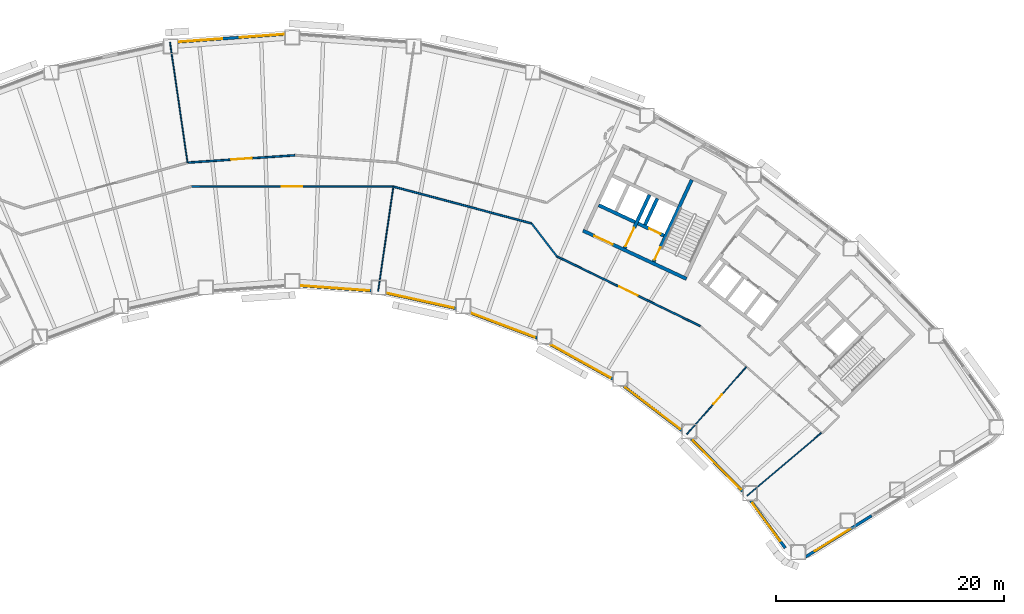
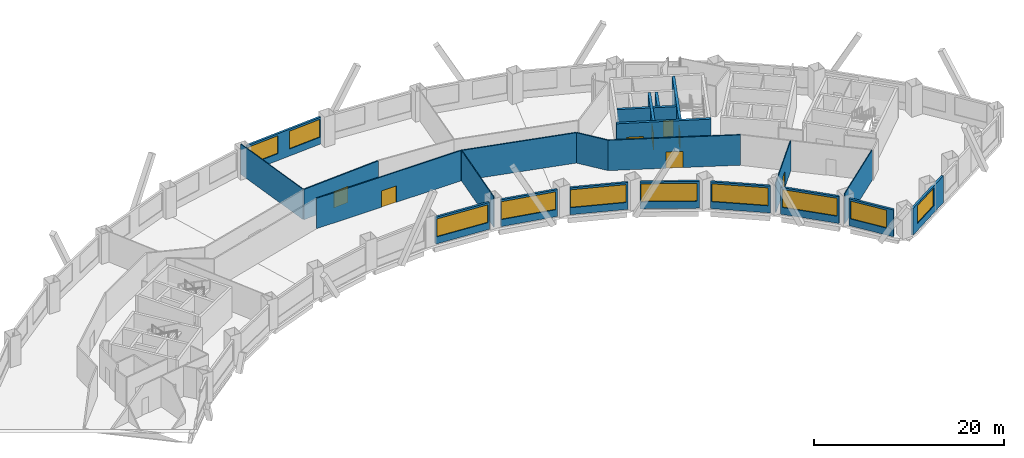
# One storey, part 5 of 11: 24 walls, 10 windows, 8 doors, 18 openings.
"""IFC4 building model written with IfcOpenShell, lengths in metres."""

from ifc_helpers import new_model, si_unit, direction, frame, frame_2d, origin, place, context, subcontext, project, spatial, rectangle, extrude, material, layer, layer_set, type_object, element, fill, save


model = new_model("IFC4")

# Units and contexts
model_context = context("Model", 3, precision=1e-05, world=origin(), true_north=direction((0.0, 1.0)))
body_context = subcontext(model_context, "Body", "Model", "MODEL_VIEW")
ifc_project = project(units=[si_unit("LENGTHUNIT", "METRE"), si_unit("AREAUNIT", "SQUARE_METRE"), si_unit("VOLUMEUNIT", "CUBIC_METRE"), si_unit("PLANEANGLEUNIT", "RADIAN"), si_unit("MASSUNIT", "GRAM", prefix="KILO")], contexts=[model_context])

# Site, building, storey
site_placement = place(None, origin())
site = spatial("IfcSite", under=ifc_project, at=site_placement, CompositionType="ELEMENT")
building_placement = place(site_placement, origin())
building = spatial("IfcBuilding", under=site, at=building_placement, Name="Tuul Gate Civic Tower", CompositionType="ELEMENT")
storey_placement = place(building_placement, frame((0.0, 0.0, 39.89990234375)))
storey = spatial("IfcBuildingStorey", under=building, at=storey_placement, Name="Level 08", CompositionType="ELEMENT", Elevation=39.89990234375)

# Wall, opening, door
ifc_material_1 = material(Name="Concrete C50/60", Category="concrete")
ifc_layer_1 = layer(ifc_material_1, 0.300048828125)
ifc_layer_set_1 = layer_set([ifc_layer_1], Name="Concrete C50/60")
wall_type_1 = type_object("IfcWallType", Name="Core wall C50/60", PredefinedType="SHEAR", material=ifc_layer_set_1)
wall_1_placement = place(storey_placement, frame((34.5283203125, -7.25, 0.0), z_axis=(0.0, 0.0, 1.0), x_axis=(-0.906310338845, 0.422612789327, 0.0)))
wall_1 = element("IfcWall", 1, at=wall_1_placement, inside=storey, type_object=wall_type_1, Name="Core wall", PredefinedType="SHEAR", context=body_context, shape_type="SweptSolid", body=[
    extrude(rectangle(XDim=9.999755859375, YDim=0.300048828125, at=frame_2d((5.0, 0.0))), origin(), (0.0, 0.0, 1.0), 3.900146484375),
])
opening_1_placement = place(wall_1_placement, frame((7.125, 0.0, 0.0)))
opening_1 = element("IfcOpeningElement", 2, at=opening_1_placement, cuts=wall_1, Name="Opening LB-E3-LOBBY-1", PredefinedType="OPENING", context=body_context, shape_type="SweptSolid", body=[
    extrude(rectangle(XDim=1.800048828125, YDim=2.10009765625, at=frame_2d((0.89990234375, 1.050048828125))), frame((0.0, 0.16015625, 0.0), z_axis=(0.0, -1.0, 0.0), x_axis=(1.0, 0.0, 0.0)), (0.0, 0.0, 1.0), 0.320068359375),
])
ifc_material_2 = material(Name="Steel", Category="steel")
door_type_1 = type_object("IfcDoorType", Name="Lobby door", OperationType="DOUBLE_DOOR_SINGLE_SWING", PredefinedType="DOOR", material=ifc_material_2)
door_1_placement = place(opening_1_placement, frame((1.800048828125, 0.0, 0.0), z_axis=(0.0, 0.0, 1.0), x_axis=(-1.0, 0.0, 0.0)))
door_1 = element("IfcDoor", 3, at=door_1_placement, inside=storey, type_object=door_type_1, Name="Lobby door E3-LOBBY", OperationType="DOUBLE_DOOR_SINGLE_SWING", OverallHeight=2.10009765625, OverallWidth=1.800048828125, PredefinedType="DOOR", context=body_context, shape_type="SweptSolid", body=[
    extrude(rectangle(XDim=1.800048828125, YDim=2.10009765625, at=frame_2d((0.900146484375, 1.050048828125))), frame((0.0, 0.02490234375, 0.0), z_axis=(0.0, -1.0, 0.0), x_axis=(1.0, 0.0, 0.0)), (0.0, 0.0, 1.0), 0.050048828125),
])
fill(opening_1, door_1)

wall_2_placement = place(storey_placement, frame((32.545654296875, -3.456787109375, 0.0), z_axis=(0.0, 0.0, 1.0), x_axis=(-0.906300357825, 0.42263419337, 0.0)))
wall_2 = element("IfcWall", 4, at=wall_2_placement, inside=storey, type_object=wall_type_1, Name="Core wall", PredefinedType="SHEAR", context=body_context, shape_type="SweptSolid", body=[
    extrude(rectangle(XDim=2.500244140625, YDim=0.300048828125, at=frame_2d((1.25, 0.0))), origin(), (0.0, 0.0, 1.0), 3.900146484375),
])
opening_2_placement = place(wall_2_placement, frame((0.324951171875, 0.0, 0.0)))
opening_2 = element("IfcOpeningElement", 5, at=opening_2_placement, cuts=wall_2, Name="Opening LD-FF-2", PredefinedType="OPENING", context=body_context, shape_type="SweptSolid", body=[
    extrude(rectangle(XDim=1.10009765625, YDim=2.10009765625, at=frame_2d((0.550048828125, 1.050048828125))), frame((0.0, 0.16015625, 0.0), z_axis=(0.0, -1.0, 0.0), x_axis=(1.0, 0.0, 0.0)), (0.0, 0.0, 1.0), 0.320068359375),
])
ifc_material_3 = material(Name="Stainless steel", Category="steel")
door_type_2 = type_object("IfcDoorType", Name="Landing door", OperationType="DOUBLE_DOOR_SLIDING", PredefinedType="DOOR", material=ifc_material_3)
door_2_placement = place(opening_2_placement, origin())
door_2 = element("IfcDoor", 6, at=door_2_placement, inside=storey, type_object=door_type_2, Name="Fire-fighting lift FF-2 landing door", OperationType="DOUBLE_DOOR_SLIDING", OverallHeight=2.10009765625, OverallWidth=1.10009765625, PredefinedType="DOOR", context=body_context, shape_type="SweptSolid", body=[
    extrude(rectangle(XDim=1.10009765625, YDim=2.10009765625, at=frame_2d((0.550048828125, 1.050048828125))), frame((0.0, 0.02490234375, 0.0), z_axis=(0.0, -1.0, 0.0), x_axis=(1.0, 0.0, 0.0)), (0.0, 0.0, 1.0), 0.050048828125),
])
fill(opening_2, door_2)

# Wall
wall_3_placement = place(storey_placement, frame((30.0078125, -2.2734375, 0.0), z_axis=(0.0, 0.0, 1.0), x_axis=(-0.90630071767, 0.422633421716, 0.0)))
element("IfcWall", 7, at=wall_3_placement, inside=storey, type_object=wall_type_1, Name="Core wall", PredefinedType="SHEAR", context=body_context, shape_type="SweptSolid", body=[
    extrude(rectangle(XDim=3.5, YDim=0.300048828125, at=frame_2d((1.75, 0.0))), origin(), (0.0, 0.0, 1.0), 3.900146484375),
])

# Wall, opening, door
wall_4_placement = place(storey_placement, frame((31.646240234375, -5.740478515625, 0.0), z_axis=(0.0, 0.0, 1.0), x_axis=(0.422582604137, 0.906324413596, 0.0)))
wall_4 = element("IfcWall", 8, at=wall_4_placement, inside=storey, type_object=wall_type_1, Name="Core wall", PredefinedType="SHEAR", context=body_context, shape_type="SweptSolid", body=[
    extrude(rectangle(XDim=7.89990234375, YDim=0.300048828125, at=frame_2d((3.949951171875, 0.0))), origin(), (0.0, 0.0, 1.0), 3.900146484375),
])
opening_3_placement = place(wall_4_placement, frame((0.199951171875, 0.0, 0.0)))
opening_3 = element("IfcOpeningElement", 9, at=opening_3_placement, cuts=wall_4, Name="Opening SD-ST-4", PredefinedType="OPENING", context=body_context, shape_type="SweptSolid", body=[
    extrude(rectangle(XDim=1.199951171875, YDim=2.10009765625, at=frame_2d((0.60009765625, 1.050048828125))), frame((0.0, 0.16015625, 0.0), z_axis=(0.0, -1.0, 0.0), x_axis=(1.0, 0.0, 0.0)), (0.0, 0.0, 1.0), 0.320068359375),
])
ifc_material_4 = material(Name="Steel", Category="steel")
door_type_3 = type_object("IfcDoorType", Name="Stair door", OperationType="NOTDEFINED", PredefinedType="DOOR", material=ifc_material_4)
door_3_placement = place(opening_3_placement, origin())
door_3 = element("IfcDoor", 10, at=door_3_placement, inside=storey, type_object=door_type_3, Name="Stair door ST-4", OperationType="SINGLE_SWING_LEFT", OverallHeight=2.10009765625, OverallWidth=1.199951171875, PredefinedType="DOOR", context=body_context, shape_type="SweptSolid", body=[
    extrude(rectangle(XDim=1.199951171875, YDim=2.10009765625, at=frame_2d((0.60009765625, 1.050048828125))), frame((0.0, 0.02490234375, 0.0), z_axis=(0.0, -1.0, 0.0), x_axis=(1.0, 0.0, 0.0)), (0.0, 0.0, 1.0), 0.050048828125),
])
fill(opening_3, door_3)

# Wall
wall_5_placement = place(storey_placement, frame((30.886962890625, -2.517822265625, 0.0), z_axis=(0.0, 0.0, 1.0), x_axis=(0.422612891016, 0.906310291427, 0.0)))
element("IfcWall", 11, at=wall_5_placement, inside=storey, type_object=wall_type_1, Name="Core wall", PredefinedType="SHEAR", context=body_context, shape_type="SweptSolid", body=[
    extrude(rectangle(XDim=2.550048828125, YDim=0.300048828125, at=frame_2d((1.27490234375, 0.0))), origin(), (0.0, 0.0, 1.0), 3.900146484375),
])

# Wall, opening, door
wall_6_placement = place(storey_placement, frame((29.108642578125, -4.557373046875, 0.0), z_axis=(0.0, 0.0, 1.0), x_axis=(0.422566235356, 0.90633204552, 0.0)))
wall_6 = element("IfcWall", 12, at=wall_6_placement, inside=storey, type_object=wall_type_1, Name="Core wall", PredefinedType="SHEAR", context=body_context, shape_type="SweptSolid", body=[
    extrude(rectangle(XDim=5.150146484375, YDim=0.300048828125, at=frame_2d((2.5751953125, 0.0))), origin(), (0.0, 0.0, 1.0), 3.900146484375),
])
opening_4_placement = place(wall_6_placement, frame((0.175048828125, 0.0, 0.0)))
opening_4 = element("IfcOpeningElement", 13, at=opening_4_placement, cuts=wall_6, Name="Opening LB-E3-FLOBBY-1", PredefinedType="OPENING", context=body_context, shape_type="SweptSolid", body=[
    extrude(rectangle(XDim=1.800048828125, YDim=2.10009765625, at=frame_2d((0.89990234375, 1.050048828125))), frame((0.0, 0.16015625, 0.0), z_axis=(0.0, -1.0, 0.0), x_axis=(1.0, 0.0, 0.0)), (0.0, 0.0, 1.0), 0.320068359375),
])
door_4_placement = place(opening_4_placement, frame((1.800048828125, 0.0, 0.0), z_axis=(0.0, 0.0, 1.0), x_axis=(-1.0, 0.0, 0.0)))
door_4 = element("IfcDoor", 14, at=door_4_placement, inside=storey, type_object=door_type_1, Name="Lobby door E3-FLOBBY", OperationType="DOUBLE_DOOR_SINGLE_SWING", OverallHeight=2.10009765625, OverallWidth=1.800048828125, PredefinedType="DOOR", context=body_context, shape_type="SweptSolid", body=[
    extrude(rectangle(XDim=1.800048828125, YDim=2.10009765625, at=frame_2d((0.900146484375, 1.050048828125))), frame((0.0, 0.02490234375, 0.0), z_axis=(0.0, -1.0, 0.0), x_axis=(1.0, 0.0, 0.0)), (0.0, 0.0, 1.0), 0.050048828125),
])
fill(opening_4, door_4)

ifc_material_5 = material(Name="Gypsum board partition")
ifc_layer_2 = layer(ifc_material_5, 0.14990234375)
ifc_layer_set_2 = layer_set([ifc_layer_2], Name="Gypsum board partition")
wall_type_2 = type_object("IfcWallType", Name="Corridor wall P150", PredefinedType="PARTITIONING", material=ifc_layer_set_2)
wall_7_placement = place(storey_placement, frame((-9.11767578125, 2.936279296875, 0.0), z_axis=(0.0, 0.0, 1.0), x_axis=(0.997685012636, 0.068004526039, 0.0)))
wall_7 = element("IfcWall", 15, at=wall_7_placement, inside=storey, type_object=wall_type_2, Name="p027", PredefinedType="PARTITIONING", context=body_context, shape_type="SweptSolid", body=[
    extrude(rectangle(XDim=9.4130859375, YDim=0.14990234375, at=frame_2d((4.70654296875, 0.0))), origin(), (0.0, 0.0, 1.0), 3.900146484375),
])
opening_5_placement = place(wall_7_placement, frame((3.806640625, 0.0, 0.0)))
opening_5 = element("IfcOpeningElement", 16, at=opening_5_placement, cuts=wall_7, Name="Opening B-D04", PredefinedType="OPENING", context=body_context, shape_type="SweptSolid", body=[
    extrude(rectangle(XDim=1.800048828125, YDim=2.10009765625, at=frame_2d((0.89990234375, 1.050048828125))), frame((0.0, 0.0849609375, 0.0), z_axis=(0.0, -1.0, 0.0), x_axis=(1.0, 0.0, 0.0)), (0.0, 0.0, 1.0), 0.169921875),
])
ifc_material_6 = material(Name="Timber door leaf, double", Category="wood")
door_type_4 = type_object("IfcDoorType", Name="Door D18", OperationType="DOUBLE_DOOR_SINGLE_SWING", PredefinedType="DOOR", material=ifc_material_6)
door_5_placement = place(opening_5_placement, origin())
door_5 = element("IfcDoor", 17, at=door_5_placement, inside=storey, type_object=door_type_4, Name="Door B-D04", OperationType="DOUBLE_DOOR_SINGLE_SWING", OverallHeight=2.10009765625, OverallWidth=1.800048828125, PredefinedType="DOOR", context=body_context, shape_type="SweptSolid", body=[
    extrude(rectangle(XDim=1.800048828125, YDim=2.10009765625, at=frame_2d((0.89990234375, 1.050048828125))), frame((0.0, 0.02490234375, 0.0), z_axis=(0.0, -1.0, 0.0), x_axis=(1.0, 0.0, 0.0)), (0.0, 0.0, 1.0), 0.050048828125),
])
fill(opening_5, door_5)

# Walls
wall_8_placement = place(storey_placement, frame((8.7958984375, 0.853271484375, 0.0), z_axis=(0.0, 0.0, 1.0), x_axis=(0.966243312112, -0.257631251596, 0.0)))
element("IfcWall", 18, at=wall_8_placement, inside=storey, type_object=wall_type_2, Name="p042", PredefinedType="PARTITIONING", context=body_context, shape_type="SweptSolid", body=[
    extrude(rectangle(XDim=12.582763671875, YDim=0.14990234375, at=frame_2d((6.29150390625, 0.0))), origin(), (0.0, 0.0, 1.0), 3.900146484375),
])
wall_9_placement = place(storey_placement, frame((20.96533203125, -2.39599609375, 0.0), z_axis=(0.0, 0.0, 1.0), x_axis=(0.608342437312, -0.793674668214, 0.0)))
element("IfcWall", 19, at=wall_9_placement, inside=storey, type_object=wall_type_2, Name="p043", PredefinedType="PARTITIONING", context=body_context, shape_type="SweptSolid", body=[
    extrude(rectangle(XDim=3.6240234375, YDim=0.14990234375, at=frame_2d((1.81201171875, 0.0))), origin(), (0.0, 0.0, 1.0), 3.900146484375),
])

# Wall, opening, door
wall_10_placement = place(storey_placement, frame((23.1708984375, -5.273193359375, 0.0), z_axis=(0.0, 0.0, 1.0), x_axis=(0.89942879208, -0.437067326596, 0.0)))
wall_10 = element("IfcWall", 20, at=wall_10_placement, inside=storey, type_object=wall_type_2, Name="p044", PredefinedType="PARTITIONING", context=body_context, shape_type="SweptSolid", body=[
    extrude(rectangle(XDim=13.956787109375, YDim=0.14990234375, at=frame_2d((6.978515625, 0.0))), origin(), (0.0, 0.0, 1.0), 3.900146484375),
])
opening_6_placement = place(wall_10_placement, frame((6.07861328125, 0.0, 0.0)))
opening_6 = element("IfcOpeningElement", 21, at=opening_6_placement, cuts=wall_10, Name="Opening B-D08", PredefinedType="OPENING", context=body_context, shape_type="SweptSolid", body=[
    extrude(rectangle(XDim=1.800048828125, YDim=2.10009765625, at=frame_2d((0.89990234375, 1.050048828125))), frame((0.0, 0.0849609375, 0.0), z_axis=(0.0, -1.0, 0.0), x_axis=(1.0, 0.0, 0.0)), (0.0, 0.0, 1.0), 0.169921875),
])
door_6_placement = place(opening_6_placement, frame((1.800048828125, 0.0, 0.0), z_axis=(0.0, 0.0, 1.0), x_axis=(-1.0, 0.0, 0.0)))
door_6 = element("IfcDoor", 22, at=door_6_placement, inside=storey, type_object=door_type_4, Name="Door B-D08", OperationType="DOUBLE_DOOR_SINGLE_SWING", OverallHeight=2.10009765625, OverallWidth=1.800048828125, PredefinedType="DOOR", context=body_context, shape_type="SweptSolid", body=[
    extrude(rectangle(XDim=1.800048828125, YDim=2.10009765625, at=frame_2d((0.900146484375, 1.050048828125))), frame((0.0, 0.02490234375, 0.0), z_axis=(0.0, -1.0, 0.0), x_axis=(1.0, 0.0, 0.0)), (0.0, 0.0, 1.0), 0.050048828125),
])
fill(opening_6, door_6)

wall_11_placement = place(storey_placement, frame((-8.813720703125, 0.85205078125, 0.0), z_axis=(0.0, 0.0, 1.0), x_axis=(0.999999993845, 0.000110950848, 0.0)))
wall_11 = element("IfcWall", 23, at=wall_11_placement, inside=storey, type_object=wall_type_2, Name="p047", PredefinedType="PARTITIONING", context=body_context, shape_type="SweptSolid", body=[
    extrude(rectangle(XDim=17.603515625, YDim=0.14990234375, at=frame_2d((8.8017578125, 0.0))), origin(), (0.0, 0.0, 1.0), 3.900146484375),
])
opening_7_placement = place(wall_11_placement, frame((7.90185546875, 0.0, 0.0)))
opening_7 = element("IfcOpeningElement", 24, at=opening_7_placement, cuts=wall_11, Name="Opening B-D09", PredefinedType="OPENING", context=body_context, shape_type="SweptSolid", body=[
    extrude(rectangle(XDim=1.800048828125, YDim=2.10009765625, at=frame_2d((0.89990234375, 1.050048828125))), frame((0.0, 0.0849609375, 0.0), z_axis=(0.0, -1.0, 0.0), x_axis=(1.0, 0.0, 0.0)), (0.0, 0.0, 1.0), 0.169921875),
])
door_7_placement = place(opening_7_placement, frame((1.800048828125, 0.0, 0.0), z_axis=(0.0, 0.0, 1.0), x_axis=(-1.0, 0.0, 0.0)))
door_7 = element("IfcDoor", 25, at=door_7_placement, inside=storey, type_object=door_type_4, Name="Door B-D09", OperationType="DOUBLE_DOOR_SINGLE_SWING", OverallHeight=2.10009765625, OverallWidth=1.800048828125, PredefinedType="DOOR", context=body_context, shape_type="SweptSolid", body=[
    extrude(rectangle(XDim=1.800048828125, YDim=2.10009765625, at=frame_2d((0.900146484375, 1.050048828125))), frame((0.0, 0.02490234375, 0.0), z_axis=(0.0, -1.0, 0.0), x_axis=(1.0, 0.0, 0.0)), (0.0, 0.0, 1.0), 0.050048828125),
])
fill(opening_7, door_7)

# Wall, openings, windows
ifc_material_7 = material(Name="Precast concrete C40/50", Category="concrete")
ifc_layer_3 = layer(ifc_material_7, 0.25)
ifc_layer_set_3 = layer_set([ifc_layer_3], Name="Precast concrete C40/50")
wall_type_3 = type_object("IfcWallType", Name="External wall", PredefinedType="STANDARD", material=ifc_layer_set_3)
wall_12_placement = place(storey_placement, frame((-0.64990234375, 14.177490234375, 0.0), z_axis=(0.0, 0.0, 1.0), x_axis=(-0.997388413682, -0.072224318983, 0.0)))
wall_12 = element("IfcWall", 26, at=wall_12_placement, inside=storey, type_object=wall_type_3, Name="External wall", PredefinedType="STANDARD", context=body_context, shape_type="SweptSolid", body=[
    extrude(rectangle(XDim=9.37353515625, YDim=0.25, at=frame_2d((4.686767578125, 0.0))), origin(), (0.0, 0.0, 1.0), 3.4501953125),
])
opening_8_placement = place(wall_12_placement, frame((0.099853515625, 0.0, 0.89990234375)))
opening_8 = element("IfcOpeningElement", 27, at=opening_8_placement, cuts=wall_12, Name="Opening W22", PredefinedType="OPENING", context=body_context, shape_type="SweptSolid", body=[
    extrude(rectangle(XDim=3.85009765625, YDim=2.300048828125, at=frame_2d((1.925048828125, 1.14990234375))), frame((0.0, 0.135009765625, 0.0), z_axis=(0.0, -1.0, 0.0), x_axis=(1.0, 0.0, 0.0)), (0.0, 0.0, 1.0), 0.27001953125),
])
opening_9_placement = place(wall_12_placement, frame((5.470703125, 0.0, 0.89990234375)))
opening_9 = element("IfcOpeningElement", 28, at=opening_9_placement, cuts=wall_12, Name="Opening W22", PredefinedType="OPENING", context=body_context, shape_type="SweptSolid", body=[
    extrude(rectangle(XDim=3.85009765625, YDim=2.300048828125, at=frame_2d((1.925048828125, 1.14990234375))), frame((0.0, 0.135009765625, 0.0), z_axis=(0.0, -1.0, 0.0), x_axis=(1.0, 0.0, 0.0)), (0.0, 0.0, 1.0), 0.27001953125),
])
ifc_material_8 = material(Name="Glass", Category="glass")
window_type_1 = type_object("IfcWindowType", Name="Window W22 3850 x 2300", PartitioningType="SINGLE_PANEL", PredefinedType="WINDOW", material=ifc_material_8)
window_1_placement = place(opening_8_placement, origin())
window_1 = element("IfcWindow", 29, at=window_1_placement, inside=storey, type_object=window_type_1, Name="Window", OverallHeight=2.300048828125, OverallWidth=3.85009765625, PartitioningType="SINGLE_PANEL", PredefinedType="WINDOW", context=body_context, shape_type="SweptSolid", body=[
    extrude(rectangle(XDim=3.85009765625, YDim=2.300048828125, at=frame_2d((1.925048828125, 1.14990234375))), frame((0.0, 0.030029296875, 0.0), z_axis=(0.0, -1.0, 0.0), x_axis=(1.0, 0.0, 0.0)), (0.0, 0.0, 1.0), 0.06005859375),
])
fill(opening_8, window_1)
window_2_placement = place(opening_9_placement, origin())
window_2 = element("IfcWindow", 30, at=window_2_placement, inside=storey, type_object=window_type_1, Name="Window", OverallHeight=2.300048828125, OverallWidth=3.85009765625, PartitioningType="SINGLE_PANEL", PredefinedType="WINDOW", context=body_context, shape_type="SweptSolid", body=[
    extrude(rectangle(XDim=3.85009765625, YDim=2.300048828125, at=frame_2d((1.925048828125, 1.14990234375))), frame((0.0, 0.030029296875, 0.0), z_axis=(0.0, -1.0, 0.0), x_axis=(1.0, 0.0, 0.0)), (0.0, 0.0, 1.0), 0.06005859375),
])
fill(opening_9, window_2)

# Wall, opening, window
wall_13_placement = place(storey_placement, frame((0.64990234375, -7.830810546875, 0.0), z_axis=(0.0, 0.0, 1.0), x_axis=(0.997395047269, -0.072132653374, 0.0)))
wall_13 = element("IfcWall", 31, at=wall_13_placement, inside=storey, type_object=wall_type_3, Name="External wall", PredefinedType="STANDARD", context=body_context, shape_type="SweptSolid", body=[
    extrude(rectangle(XDim=6.28857421875, YDim=0.25, at=frame_2d((3.144287109375, 0.0))), origin(), (0.0, 0.0, 1.0), 3.4501953125),
])
opening_10_placement = place(wall_13_placement, frame((0.12060546875, 0.0, 0.89990234375)))
opening_10 = element("IfcOpeningElement", 32, at=opening_10_placement, cuts=wall_13, Name="Opening W26", PredefinedType="OPENING", context=body_context, shape_type="SweptSolid", body=[
    extrude(rectangle(XDim=6.0, YDim=2.300048828125, at=frame_2d((3.0, 1.14990234375))), frame((0.0, 0.135009765625, 0.0), z_axis=(0.0, -1.0, 0.0), x_axis=(1.0, 0.0, 0.0)), (0.0, 0.0, 1.0), 0.27001953125),
])
ifc_material_9 = material(Name="Glass", Category="glass")
window_type_2 = type_object("IfcWindowType", Name="Window W26 6000 x 2300", PartitioningType="SINGLE_PANEL", PredefinedType="WINDOW", material=ifc_material_9)
window_3_placement = place(opening_10_placement, origin())
window_3 = element("IfcWindow", 33, at=window_3_placement, inside=storey, type_object=window_type_2, Name="Window", OverallHeight=2.300048828125, OverallWidth=6.0, PartitioningType="SINGLE_PANEL", PredefinedType="WINDOW", context=body_context, shape_type="SweptSolid", body=[
    extrude(rectangle(XDim=6.0, YDim=2.300048828125, at=frame_2d((3.0, 1.14990234375))), frame((0.0, 0.030029296875, 0.0), z_axis=(0.0, -1.0, 0.0), x_axis=(1.0, 0.0, 0.0)), (0.0, 0.0, 1.0), 0.06005859375),
])
fill(opening_10, window_3)

wall_14_placement = place(storey_placement, frame((8.221923828125, -8.481689453125, 0.0), z_axis=(0.0, 0.0, 1.0), x_axis=(0.97656633669, -0.215216611915, 0.0)))
wall_14 = element("IfcWall", 34, at=wall_14_placement, inside=storey, type_object=wall_type_3, Name="External wall", PredefinedType="STANDARD", context=body_context, shape_type="SweptSolid", body=[
    extrude(rectangle(XDim=6.2607421875, YDim=0.25, at=frame_2d((3.13037109375, 0.0))), origin(), (0.0, 0.0, 1.0), 3.4501953125),
])
opening_11_placement = place(wall_14_placement, frame((0.05859375, 0.0, 0.89990234375)))
opening_11 = element("IfcOpeningElement", 35, at=opening_11_placement, cuts=wall_14, Name="Opening W26", PredefinedType="OPENING", context=body_context, shape_type="SweptSolid", body=[
    extrude(rectangle(XDim=6.0, YDim=2.300048828125, at=frame_2d((3.0, 1.14990234375))), frame((0.0, 0.135009765625, 0.0), z_axis=(0.0, -1.0, 0.0), x_axis=(1.0, 0.0, 0.0)), (0.0, 0.0, 1.0), 0.27001953125),
])
window_4_placement = place(opening_11_placement, origin())
window_4 = element("IfcWindow", 36, at=window_4_placement, inside=storey, type_object=window_type_2, Name="Window", OverallHeight=2.300048828125, OverallWidth=6.0, PartitioningType="SINGLE_PANEL", PredefinedType="WINDOW", context=body_context, shape_type="SweptSolid", body=[
    extrude(rectangle(XDim=6.0, YDim=2.300048828125, at=frame_2d((3.0, 1.14990234375))), frame((0.0, 0.030029296875, 0.0), z_axis=(0.0, -1.0, 0.0), x_axis=(1.0, 0.0, 0.0)), (0.0, 0.0, 1.0), 0.06005859375),
])
fill(opening_11, window_4)

wall_15_placement = place(storey_placement, frame((15.635986328125, -10.23291015625, 0.0), z_axis=(0.0, 0.0, 1.0), x_axis=(0.935359836581, -0.353697577193, 0.0)))
wall_15 = element("IfcWall", 37, at=wall_15_placement, inside=storey, type_object=wall_type_3, Name="External wall", PredefinedType="STANDARD", context=body_context, shape_type="SweptSolid", body=[
    extrude(rectangle(XDim=6.201904296875, YDim=0.25, at=frame_2d((3.10107421875, 0.0))), origin(), (0.0, 0.0, 1.0), 3.4501953125),
])
opening_12_placement = place(wall_15_placement, frame((0.0458984375, 0.0, 0.89990234375)))
opening_12 = element("IfcOpeningElement", 38, at=opening_12_placement, cuts=wall_15, Name="Opening W101", PredefinedType="OPENING", context=body_context, shape_type="SweptSolid", body=[
    extrude(rectangle(XDim=5.949951171875, YDim=2.300048828125, at=frame_2d((2.97509765625, 1.14990234375))), frame((0.0, 0.135009765625, 0.0), z_axis=(0.0, -1.0, 0.0), x_axis=(1.0, 0.0, 0.0)), (0.0, 0.0, 1.0), 0.27001953125),
])
ifc_material_10 = material(Name="Glass", Category="glass")
window_type_3 = type_object("IfcWindowType", Name="Window W101 5950 x 2300", PartitioningType="SINGLE_PANEL", PredefinedType="WINDOW", material=ifc_material_10)
window_5_placement = place(opening_12_placement, origin())
window_5 = element("IfcWindow", 39, at=window_5_placement, inside=storey, type_object=window_type_3, Name="Window", OverallHeight=2.300048828125, OverallWidth=5.949951171875, PartitioningType="SINGLE_PANEL", PredefinedType="WINDOW", context=body_context, shape_type="SweptSolid", body=[
    extrude(rectangle(XDim=5.949951171875, YDim=2.300048828125, at=frame_2d((2.97509765625, 1.14990234375))), frame((0.0, 0.030029296875, 0.0), z_axis=(0.0, -1.0, 0.0), x_axis=(1.0, 0.0, 0.0)), (0.0, 0.0, 1.0), 0.06005859375),
])
fill(opening_12, window_5)

wall_16_placement = place(storey_placement, frame((22.589599609375, -12.97509765625, 0.0), z_axis=(0.0, 0.0, 1.0), x_axis=(0.874630436192, -0.484790264018, 0.0)))
wall_16 = element("IfcWall", 40, at=wall_16_placement, inside=storey, type_object=wall_type_3, Name="External wall", PredefinedType="STANDARD", context=body_context, shape_type="SweptSolid", body=[
    extrude(rectangle(XDim=6.27392578125, YDim=0.25, at=frame_2d((3.136962890625, 0.0))), origin(), (0.0, 0.0, 1.0), 3.4501953125),
])
opening_13_placement = place(wall_16_placement, frame((0.0869140625, 0.0, 0.89990234375)))
opening_13 = element("IfcOpeningElement", 41, at=opening_13_placement, cuts=wall_16, Name="Opening W101", PredefinedType="OPENING", context=body_context, shape_type="SweptSolid", body=[
    extrude(rectangle(XDim=5.949951171875, YDim=2.300048828125, at=frame_2d((2.97509765625, 1.14990234375))), frame((0.0, 0.135009765625, 0.0), z_axis=(0.0, -1.0, 0.0), x_axis=(1.0, 0.0, 0.0)), (0.0, 0.0, 1.0), 0.27001953125),
])
window_6_placement = place(opening_13_placement, origin())
window_6 = element("IfcWindow", 42, at=window_6_placement, inside=storey, type_object=window_type_3, Name="Window", OverallHeight=2.300048828125, OverallWidth=5.949951171875, PartitioningType="SINGLE_PANEL", PredefinedType="WINDOW", context=body_context, shape_type="SweptSolid", body=[
    extrude(rectangle(XDim=5.949951171875, YDim=2.300048828125, at=frame_2d((2.97509765625, 1.14990234375))), frame((0.0, 0.030029296875, 0.0), z_axis=(0.0, -1.0, 0.0), x_axis=(1.0, 0.0, 0.0)), (0.0, 0.0, 1.0), 0.06005859375),
])
fill(opening_13, window_6)

wall_17_placement = place(storey_placement, frame((29.044921875, -16.656005859375, 0.0), z_axis=(0.0, 0.0, 1.0), x_axis=(0.795571471624, -0.605859747416, 0.0)))
wall_17 = element("IfcWall", 43, at=wall_17_placement, inside=storey, type_object=wall_type_3, Name="External wall", PredefinedType="STANDARD", context=body_context, shape_type="SweptSolid", body=[
    extrude(rectangle(XDim=6.375244140625, YDim=0.25, at=frame_2d((3.1875, 0.0))), origin(), (0.0, 0.0, 1.0), 3.4501953125),
])
opening_14_placement = place(wall_17_placement, frame((0.1484375, 0.0, 0.89990234375)))
opening_14 = element("IfcOpeningElement", 44, at=opening_14_placement, cuts=wall_17, Name="Opening W26", PredefinedType="OPENING", context=body_context, shape_type="SweptSolid", body=[
    extrude(rectangle(XDim=6.0, YDim=2.300048828125, at=frame_2d((3.0, 1.14990234375))), frame((0.0, 0.135009765625, 0.0), z_axis=(0.0, -1.0, 0.0), x_axis=(1.0, 0.0, 0.0)), (0.0, 0.0, 1.0), 0.27001953125),
])
window_7_placement = place(opening_14_placement, origin())
window_7 = element("IfcWindow", 45, at=window_7_placement, inside=storey, type_object=window_type_2, Name="Window", OverallHeight=2.300048828125, OverallWidth=6.0, PartitioningType="SINGLE_PANEL", PredefinedType="WINDOW", context=body_context, shape_type="SweptSolid", body=[
    extrude(rectangle(XDim=6.0, YDim=2.300048828125, at=frame_2d((3.0, 1.14990234375))), frame((0.0, 0.030029296875, 0.0), z_axis=(0.0, -1.0, 0.0), x_axis=(1.0, 0.0, 0.0)), (0.0, 0.0, 1.0), 0.06005859375),
])
fill(opening_14, window_7)

wall_18_placement = place(storey_placement, frame((34.948974609375, -21.2548828125, 0.0), z_axis=(0.0, 0.0, 1.0), x_axis=(0.699998211198, -0.714144596227, 0.0)))
wall_18 = element("IfcWall", 46, at=wall_18_placement, inside=storey, type_object=wall_type_3, Name="External wall", PredefinedType="STANDARD", context=body_context, shape_type="SweptSolid", body=[
    extrude(rectangle(XDim=6.40283203125, YDim=0.25, at=frame_2d((3.201416015625, 0.0))), origin(), (0.0, 0.0, 1.0), 3.4501953125),
])
opening_15_placement = place(wall_18_placement, frame((0.203857421875, 0.0, 0.89990234375)))
opening_15 = element("IfcOpeningElement", 47, at=opening_15_placement, cuts=wall_18, Name="Opening W26", PredefinedType="OPENING", context=body_context, shape_type="SweptSolid", body=[
    extrude(rectangle(XDim=6.0, YDim=2.300048828125, at=frame_2d((3.0, 1.14990234375))), frame((0.0, 0.135009765625, 0.0), z_axis=(0.0, -1.0, 0.0), x_axis=(1.0, 0.0, 0.0)), (0.0, 0.0, 1.0), 0.27001953125),
])
window_8_placement = place(opening_15_placement, origin())
window_8 = element("IfcWindow", 48, at=window_8_placement, inside=storey, type_object=window_type_2, Name="Window", OverallHeight=2.300048828125, OverallWidth=6.0, PartitioningType="SINGLE_PANEL", PredefinedType="WINDOW", context=body_context, shape_type="SweptSolid", body=[
    extrude(rectangle(XDim=6.0, YDim=2.300048828125, at=frame_2d((3.0, 1.14990234375))), frame((0.0, 0.030029296875, 0.0), z_axis=(0.0, -1.0, 0.0), x_axis=(1.0, 0.0, 0.0)), (0.0, 0.0, 1.0), 0.06005859375),
])
fill(opening_15, window_8)

wall_19_placement = place(storey_placement, frame((40.1533203125, -26.676025390625, 0.0), z_axis=(0.0, 0.0, 1.0), x_axis=(0.589712900291, -0.807612961282, 0.0)))
wall_19 = element("IfcWall", 49, at=wall_19_placement, inside=storey, type_object=wall_type_3, Name="External wall", PredefinedType="STANDARD", context=body_context, shape_type="SweptSolid", body=[
    extrude(rectangle(XDim=5.120361328125, YDim=0.25, at=frame_2d((2.56005859375, 0.0))), origin(), (0.0, 0.0, 1.0), 3.4501953125),
])
opening_16_placement = place(wall_19_placement, frame((0.218017578125, 0.0, 0.89990234375)))
opening_16 = element("IfcOpeningElement", 50, at=opening_16_placement, cuts=wall_19, Name="Opening W25", PredefinedType="OPENING", context=body_context, shape_type="SweptSolid", body=[
    extrude(rectangle(XDim=4.14990234375, YDim=2.300048828125, at=frame_2d((2.074951171875, 1.14990234375))), frame((0.0, 0.135009765625, 0.0), z_axis=(0.0, -1.0, 0.0), x_axis=(1.0, 0.0, 0.0)), (0.0, 0.0, 1.0), 0.27001953125),
])
ifc_material_11 = material(Name="Glass", Category="glass")
window_type_4 = type_object("IfcWindowType", Name="Window W25 4150 x 2300", PartitioningType="SINGLE_PANEL", PredefinedType="WINDOW", material=ifc_material_11)
window_9_placement = place(opening_16_placement, origin())
window_9 = element("IfcWindow", 51, at=window_9_placement, inside=storey, type_object=window_type_4, Name="Window", OverallHeight=2.300048828125, OverallWidth=4.14990234375, PartitioningType="SINGLE_PANEL", PredefinedType="WINDOW", context=body_context, shape_type="SweptSolid", body=[
    extrude(rectangle(XDim=4.14990234375, YDim=2.300048828125, at=frame_2d((2.074951171875, 1.14990234375))), frame((0.0, 0.030029296875, 0.0), z_axis=(0.0, -1.0, 0.0), x_axis=(1.0, 0.0, 0.0)), (0.0, 0.0, 1.0), 0.06005859375),
])
fill(opening_16, window_9)

wall_20_placement = place(storey_placement, frame((44.950927734375, -31.5869140625, 0.0), z_axis=(0.0, 0.0, 1.0), x_axis=(0.848068815002, 0.529886105707, 0.0)))
wall_20 = element("IfcWall", 52, at=wall_20_placement, inside=storey, type_object=wall_type_3, Name="External wall", PredefinedType="STANDARD", context=body_context, shape_type="SweptSolid", body=[
    extrude(rectangle(XDim=6.807373046875, YDim=0.25, at=frame_2d((3.40380859375, 0.0))), origin(), (0.0, 0.0, 1.0), 3.4501953125),
])
opening_17_placement = place(wall_20_placement, frame((0.943115234375, 0.0, 0.89990234375)))
opening_17 = element("IfcOpeningElement", 53, at=opening_17_placement, cuts=wall_20, Name="Opening W21", PredefinedType="OPENING", context=body_context, shape_type="SweptSolid", body=[
    extrude(rectangle(XDim=3.699951171875, YDim=2.300048828125, at=frame_2d((1.85009765625, 1.14990234375))), frame((0.0, 0.135009765625, 0.0), z_axis=(0.0, -1.0, 0.0), x_axis=(1.0, 0.0, 0.0)), (0.0, 0.0, 1.0), 0.27001953125),
])
ifc_material_12 = material(Name="Glass", Category="glass")
window_type_5 = type_object("IfcWindowType", Name="Window W21 3700 x 2300", PartitioningType="SINGLE_PANEL", PredefinedType="WINDOW", material=ifc_material_12)
window_10_placement = place(opening_17_placement, origin())
window_10 = element("IfcWindow", 54, at=window_10_placement, inside=storey, type_object=window_type_5, Name="Window", OverallHeight=2.300048828125, OverallWidth=3.699951171875, PartitioningType="SINGLE_PANEL", PredefinedType="WINDOW", context=body_context, shape_type="SweptSolid", body=[
    extrude(rectangle(XDim=3.699951171875, YDim=2.300048828125, at=frame_2d((1.85009765625, 1.14990234375))), frame((0.0, 0.030029296875, 0.0), z_axis=(0.0, -1.0, 0.0), x_axis=(1.0, 0.0, 0.0)), (0.0, 0.0, 1.0), 0.06005859375),
])
fill(opening_17, window_10)

# Walls
ifc_material_13 = material(Name="Gypsum board partition")
ifc_layer_4 = layer(ifc_material_13, 0.10009765625)
ifc_layer_set_4 = layer_set([ifc_layer_4], Name="Gypsum board partition")
wall_type_4 = type_object("IfcWallType", Name="Partition P100", PredefinedType="PARTITIONING", material=ifc_layer_set_4)
wall_21_placement = place(storey_placement, frame((39.82861328125, -26.239990234375, 0.0), z_axis=(0.0, 0.0, 1.0), x_axis=(0.762830690299, 0.646598281731, 0.0)))
element("IfcWall", 55, at=wall_21_placement, inside=storey, type_object=wall_type_4, Name="p001", PredefinedType="PARTITIONING", context=body_context, shape_type="SweptSolid", body=[
    extrude(rectangle(XDim=8.521484375, YDim=0.10009765625, at=frame_2d((4.2607421875, 0.0))), origin(), (0.0, 0.0, 1.0), 3.900146484375),
])
wall_22_placement = place(storey_placement, frame((7.5244140625, -8.3330078125, 0.0), z_axis=(0.0, 0.0, 1.0), x_axis=(0.144095123446, 0.989563840992, 0.0)))
element("IfcWall", 56, at=wall_22_placement, inside=storey, type_object=wall_type_4, Name="p015", PredefinedType="PARTITIONING", context=body_context, shape_type="SweptSolid", body=[
    extrude(rectangle(XDim=9.26611328125, YDim=0.10009765625, at=frame_2d((4.633056640625, 0.0))), origin(), (0.0, 0.0, 1.0), 3.900146484375),
])
wall_23_placement = place(storey_placement, frame((-10.697265625, 13.454833984375, 0.0), z_axis=(0.0, 0.0, 1.0), x_axis=(0.144115484467, -0.989560875913, 0.0)))
element("IfcWall", 57, at=wall_23_placement, inside=storey, type_object=wall_type_4, Name="p025", PredefinedType="PARTITIONING", context=body_context, shape_type="SweptSolid", body=[
    extrude(rectangle(XDim=10.64208984375, YDim=0.10009765625, at=frame_2d((5.321044921875, 0.0))), origin(), (0.0, 0.0, 1.0), 3.900146484375),
])

# Wall, opening, door
wall_24_placement = place(storey_placement, frame((34.547607421875, -20.852783203125, 0.0), z_axis=(0.0, 0.0, 1.0), x_axis=(0.661702510962, 0.749766488306, 0.0)))
wall_24 = element("IfcWall", 58, at=wall_24_placement, inside=storey, type_object=wall_type_4, Name="p041", PredefinedType="PARTITIONING", context=body_context, shape_type="SweptSolid", body=[
    extrude(rectangle(XDim=7.88720703125, YDim=0.10009765625, at=frame_2d((3.943603515625, 0.0))), origin(), (0.0, 0.0, 1.0), 3.900146484375),
])
opening_18_placement = place(wall_24_placement, frame((3.55908203125, 0.0, 0.0)))
opening_18 = element("IfcOpeningElement", 59, at=opening_18_placement, cuts=wall_24, Name="Opening B-D15", PredefinedType="OPENING", context=body_context, shape_type="SweptSolid", body=[
    extrude(rectangle(XDim=1.10009765625, YDim=2.10009765625, at=frame_2d((0.550048828125, 1.050048828125))), frame((0.0, 0.06005859375, 0.0), z_axis=(0.0, -1.0, 0.0), x_axis=(1.0, 0.0, 0.0)), (0.0, 0.0, 1.0), 0.1201171875),
])
ifc_material_14 = material(Name="Timber door leaf", Category="wood")
door_type_5 = type_object("IfcDoorType", Name="Door D11", OperationType="NOTDEFINED", PredefinedType="DOOR", material=ifc_material_14)
door_8_placement = place(opening_18_placement, frame((1.10009765625, 0.0, 0.0), z_axis=(0.0, 0.0, 1.0), x_axis=(-1.0, 0.0, 0.0)))
door_8 = element("IfcDoor", 60, at=door_8_placement, inside=storey, type_object=door_type_5, Name="Door B-D15", OperationType="SINGLE_SWING_LEFT", OverallHeight=2.10009765625, OverallWidth=1.10009765625, PredefinedType="DOOR", context=body_context, shape_type="SweptSolid", body=[
    extrude(rectangle(XDim=1.10009765625, YDim=2.10009765625, at=frame_2d((0.550048828125, 1.050048828125))), frame((0.0, 0.02490234375, 0.0), z_axis=(0.0, -1.0, 0.0), x_axis=(1.0, 0.0, 0.0)), (0.0, 0.0, 1.0), 0.050048828125),
])
fill(opening_18, door_8)

save(model, "model.ifc")
